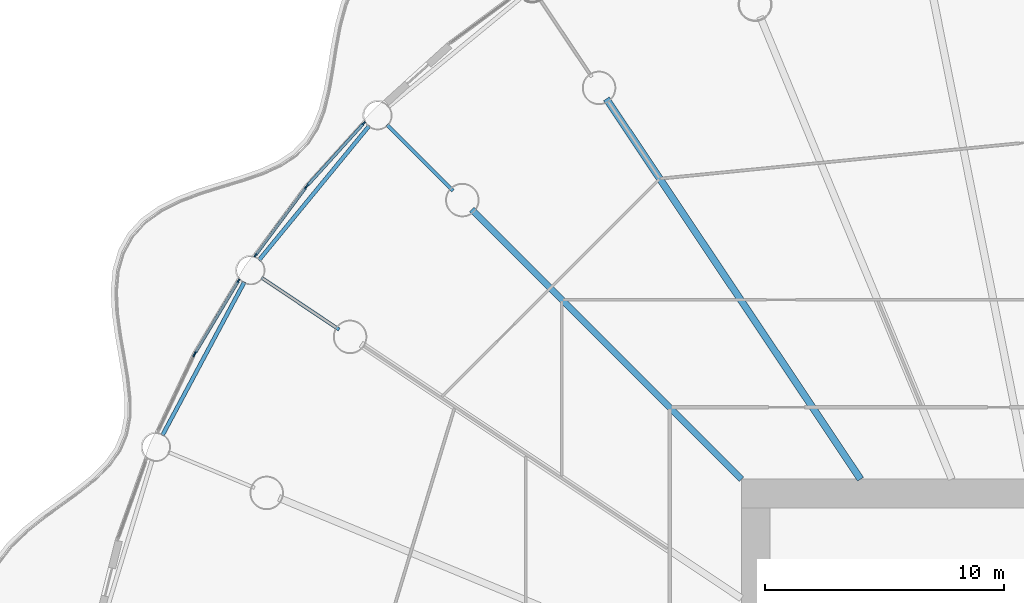
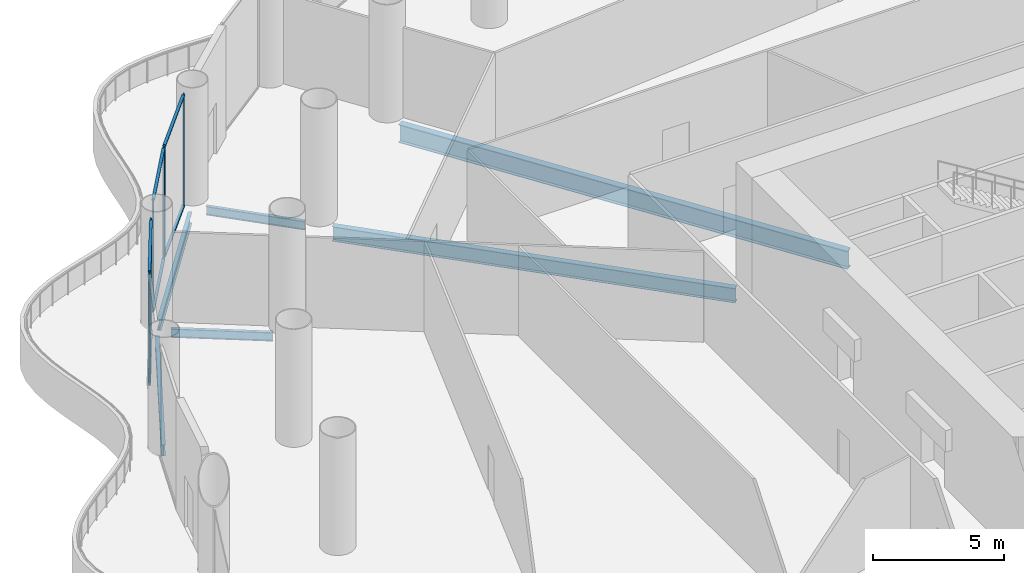
# One storey, part 15 of 37: 13 members, 6 beams, 4 elements without a shape of their own.
"""IFC4 building model written with IfcOpenShell, lengths in metres."""

from ifc_helpers import new_model, si_unit, direction, frame, origin, origin_2d, place, context, subcontext, project, spatial, rectangle, i_section, extrude, material, material_profile, profile_set, type_object, element, aggregate, save


model = new_model("IFC4")

# Units and contexts
model_context = context("Model", 3, precision=1e-05, world=origin(), true_north=direction((0.0, 1.0)))
body_context = subcontext(model_context, "Body", "Model", "MODEL_VIEW")
ifc_project = project(units=[si_unit("LENGTHUNIT", "METRE"), si_unit("AREAUNIT", "SQUARE_METRE"), si_unit("VOLUMEUNIT", "CUBIC_METRE"), si_unit("PLANEANGLEUNIT", "RADIAN"), si_unit("MASSUNIT", "GRAM", prefix="KILO")], contexts=[model_context])

# Site, building, storey
site_placement = place(None, origin())
site = spatial("IfcSite", under=ifc_project, at=site_placement, CompositionType="ELEMENT")
building_placement = place(site_placement, origin())
building = spatial("IfcBuilding", under=site, at=building_placement, Name="Corvane Civic Tower", CompositionType="ELEMENT")
storey_placement = place(building_placement, frame((0.0, 0.0, 11.5)))
storey = spatial("IfcBuildingStorey", under=building, at=storey_placement, Name="L02", CompositionType="ELEMENT", Elevation=11.5)

# Beams
ifc_material_1 = material(Name="Steel ASTM A992 Gr 50", Category="steel")
ifc_material_profile_1 = material_profile(ifc_material_1, i_section(OverallWidth=0.165771484375, OverallDepth=0.5283203125, WebThickness=0.009765625, FlangeThickness=0.013671875, at=origin_2d()), Name="W21X50")
ifc_profile_set_1 = profile_set([ifc_material_profile_1], Name="Steel ASTM A992 Gr 50")
beam_type_1 = type_object("IfcBeamType", Name="EDGE BEAM W21X50", PredefinedType="BEAM", material=ifc_profile_set_1)
for number, where, z_axis, x_axis, name in (
    (1, (-39.1904296875, 16.82568359375, -0.564208984375), (0.471412394598, 0.881912894916, 0.0), (-0.881912894916, 0.471412394598, 0.0), "BM-L02-E27"),
    (2, (-35.15478515625, 24.14794921875, -0.564208984375), (0.634396365205, 0.773007924807, 0.0), (-0.773007924807, 0.634396365205, 0.0), "BM-L02-E28"),
):
    element("IfcBeam", number, at=place(storey_placement, frame(where, z_axis=z_axis, x_axis=x_axis)), inside=storey, type_object=beam_type_1, Name=name, PredefinedType="BEAM", context=body_context, shape_type="SweptSolid", body=[
        extrude(i_section(OverallWidth=0.165771484375, OverallDepth=0.5283203125, WebThickness=0.009765625, FlangeThickness=0.013671875, at=origin_2d()), origin(), (0.0, 0.0, 1.0), 7.270751953125),
    ])
ifc_material_2 = material(Name="Steel ASTM A992 Gr 50", Category="steel")
ifc_material_profile_2 = material_profile(ifc_material_2, i_section(OverallWidth=0.140380859375, OverallDepth=0.40380859375, WebThickness=0.007080078125, FlangeThickness=0.01123046875, at=origin_2d()), Name="W16X31")
ifc_profile_set_2 = profile_set([ifc_material_profile_2], Name="Steel ASTM A992 Gr 50")
beam_type_2 = type_object("IfcBeamType", Name="FLOOR GIRDER W16X31", PredefinedType="BEAM", material=ifc_profile_set_2)
for number, where, z_axis, x_axis, name in (
    (3, (-31.8037109375, 21.25048828125, -0.501953125), (-0.831462344301, 0.555581110199, 0.0), (-0.555581110199, -0.831462344301, 0.0), "BM-L02-G28b"),
    (4, (-27.046875, 27.046875, -0.501953125), (-0.707106781187, 0.707106781187, 0.0), (-0.707106781187, -0.707106781187, 0.0), "BM-L02-G29b"),
):
    element("IfcBeam", number, at=place(storey_placement, frame(where, z_axis=z_axis, x_axis=x_axis)), inside=storey, type_object=beam_type_2, Name=name, PredefinedType="BEAM", context=body_context, shape_type="SweptSolid", body=[
        extrude(i_section(OverallWidth=0.140380859375, OverallDepth=0.40380859375, WebThickness=0.007080078125, FlangeThickness=0.01123046875, at=origin_2d()), origin(), (0.0, 0.0, 1.0), 3.89990234375),
    ])
ifc_material_3 = material(Name="Steel ASTM A992 Gr 50", Category="steel")
ifc_material_profile_3 = material_profile(ifc_material_3, i_section(OverallWidth=0.25390625, OverallDepth=0.67822265625, WebThickness=0.01171875, FlangeThickness=0.016357421875, at=origin_2d()), Name="W27X84")
ifc_profile_set_3 = profile_set([ifc_material_profile_3], Name="Steel ASTM A992 Gr 50")
beam_type_3 = type_object("IfcBeamType", Name="FLOOR GIRDER W27X84", PredefinedType="BEAM", material=ifc_profile_set_3)
beam_1_placement = place(storey_placement, frame((-15.0, 15.0, -0.63916015625), z_axis=(-0.707106781187, 0.707106781187, 0.0), x_axis=(-0.707106781187, -0.707106781187, 0.0)))
element("IfcBeam", 5, at=beam_1_placement, inside=storey, type_object=beam_type_3, Name="BM-L02-G29", PredefinedType="BEAM", context=body_context, shape_type="SweptSolid", body=[
    extrude(i_section(OverallWidth=0.25390625, OverallDepth=0.67822265625, WebThickness=0.01171875, FlangeThickness=0.016357421875, at=origin_2d()), origin(), (0.0, 0.0, 1.0), 15.936767578125),
])
ifc_material_4 = material(Name="Steel ASTM A992 Gr 50", Category="steel")
ifc_material_profile_4 = material_profile(ifc_material_4, i_section(OverallWidth=0.2919921875, OverallDepth=0.845703125, WebThickness=0.015380859375, FlangeThickness=0.0244140625, at=origin_2d()), Name="W33X141")
ifc_profile_set_4 = profile_set([ifc_material_profile_4], Name="Steel ASTM A992 Gr 50")
beam_type_4 = type_object("IfcBeamType", Name="FLOOR GIRDER W33X141", PredefinedType="BEAM", material=ifc_profile_set_4)
beam_2_placement = place(storey_placement, frame((-10.022705078125, 15.0, -0.722900390625), z_axis=(-0.555566681385, 0.831471985418, 0.0), x_axis=(-0.831471985418, -0.555566681385, 0.0)))
element("IfcBeam", 6, at=beam_2_placement, inside=storey, type_object=beam_type_4, Name="BM-L02-G30", PredefinedType="BEAM", context=body_context, shape_type="SweptSolid", body=[
    extrude(i_section(OverallWidth=0.2919921875, OverallDepth=0.845703125, WebThickness=0.015380859375, FlangeThickness=0.0244140625, at=origin_2d()), origin(), (0.0, 0.0, 1.0), 19.109619140625),
])

# Curtain wall, member
ifc_material_5 = material(Name="Aluminium and glass", Category="aluminium")
curtain_wall_type = type_object("IfcCurtainWallType", Name="PODIUM-CW-P-RUN", PredefinedType="NOTDEFINED", material=ifc_material_5)
curtain_wall_1_placement = place(storey_placement, origin())
curtain_wall_1 = element("IfcCurtainWall", 7, at=curtain_wall_1_placement, inside=storey, type_object=curtain_wall_type, Name="PODI run L02-drum-27A", PredefinedType="NOTDEFINED")
ifc_material_6 = material(Name="Anodised aluminium bronze", Category="aluminium")
ifc_material_profile_5 = material_profile(ifc_material_6, rectangle(XDim=0.06005859375, YDim=0.159912109375, at=origin_2d()), Name="AL 60x160")
ifc_profile_set_5 = profile_set([ifc_material_profile_5], Name="Anodised aluminium bronze")
member_type_1 = type_object("IfcMemberType", Name="PODIUM-CWP-MULLION-60x160", PredefinedType="MULLION", material=ifc_profile_set_5)
member_1_placement = place(storey_placement, frame((-37.862548828125, 20.186279296875, 0.0), z_axis=(0.0, 0.0, 1.0), x_axis=(-0.903990222454, 0.42755312852, 0.0)))
member_1 = element("IfcMember", 8, at=member_1_placement, type_object=member_type_1, Name="CW-P mullion 2", PredefinedType="MULLION", context=body_context, shape_type="SweptSolid", body=[
    extrude(rectangle(XDim=0.06005859375, YDim=0.159912109375, at=origin_2d()), origin(), (0.0, 0.0, 1.0), 5.199951171875),
])
aggregate(curtain_wall_1, [member_1])

# Curtain wall, members
curtain_wall_2_placement = place(storey_placement, origin())
curtain_wall_2 = element("IfcCurtainWall", 9, at=curtain_wall_2_placement, inside=storey, type_object=curtain_wall_type, Name="PODI run L02-drum-27B", PredefinedType="NOTDEFINED")
member_2_placement = place(storey_placement, frame((-37.819580078125, 20.2666015625, 0.0), z_axis=(0.0, 0.0, 1.0), x_axis=(-0.857719609779, 0.514117759857, 0.0)))
member_2 = element("IfcMember", 10, at=member_2_placement, type_object=member_type_1, Name="CW-P mullion 1", PredefinedType="MULLION", context=body_context, shape_type="SweptSolid", body=[
    extrude(rectangle(XDim=0.06005859375, YDim=0.159912109375, at=origin_2d()), origin(), (0.0, 0.0, 1.0), 5.199951171875),
])
member_3_placement = place(storey_placement, frame((-36.010009765625, 23.28564453125, 0.0), z_axis=(0.0, 0.0, 1.0), x_axis=(-0.857719609779, 0.514117759857, 0.0)))
member_3 = element("IfcMember", 11, at=member_3_placement, type_object=member_type_1, Name="CW-P mullion 2", PredefinedType="MULLION", context=body_context, shape_type="SweptSolid", body=[
    extrude(rectangle(XDim=0.06005859375, YDim=0.159912109375, at=origin_2d()), origin(), (0.0, 0.0, 1.0), 5.199951171875),
])

curtain_wall_3_placement = place(storey_placement, origin())
curtain_wall_3 = element("IfcCurtainWall", 12, at=curtain_wall_3_placement, inside=storey, type_object=curtain_wall_type, Name="PODI run L02-drum-28A", PredefinedType="NOTDEFINED")
member_4_placement = place(storey_placement, frame((-35.293701171875, 24.35791015625, 0.0), z_axis=(0.0, 0.0, 1.0), x_axis=(-0.803203229747, 0.595705104665, 0.0)))
member_4 = element("IfcMember", 13, at=member_4_placement, type_object=member_type_1, Name="CW-P mullion 1", PredefinedType="MULLION", context=body_context, shape_type="SweptSolid", body=[
    extrude(rectangle(XDim=0.06005859375, YDim=0.159912109375, at=origin_2d()), origin(), (0.0, 0.0, 1.0), 5.199951171875),
])
member_5_placement = place(storey_placement, frame((-33.197021484375, 27.18505859375, 0.0), z_axis=(0.0, 0.0, 1.0), x_axis=(-0.803203229747, 0.595705104665, 0.0)))
member_5 = element("IfcMember", 14, at=member_5_placement, type_object=member_type_1, Name="CW-P mullion 2", PredefinedType="MULLION", context=body_context, shape_type="SweptSolid", body=[
    extrude(rectangle(XDim=0.06005859375, YDim=0.159912109375, at=origin_2d()), origin(), (0.0, 0.0, 1.0), 5.199951171875),
])

curtain_wall_4_placement = place(storey_placement, origin())
curtain_wall_4 = element("IfcCurtainWall", 15, at=curtain_wall_4_placement, inside=storey, type_object=curtain_wall_type, Name="PODI run L02-drum-28B", PredefinedType="NOTDEFINED")
member_6_placement = place(storey_placement, frame((-33.13916015625, 27.25537109375, 0.0), z_axis=(0.0, 0.0, 1.0), x_axis=(-0.740935261089, 0.671576457952, 0.0)))
member_6 = element("IfcMember", 16, at=member_6_placement, type_object=member_type_1, Name="CW-P mullion 1", PredefinedType="MULLION", context=body_context, shape_type="SweptSolid", body=[
    extrude(rectangle(XDim=0.06005859375, YDim=0.159912109375, at=origin_2d()), origin(), (0.0, 0.0, 1.0), 5.199951171875),
])
member_7_placement = place(storey_placement, frame((-30.775390625, 29.863525390625, 0.0), z_axis=(0.0, 0.0, 1.0), x_axis=(-0.740935261089, 0.671576457952, 0.0)))
member_7 = element("IfcMember", 17, at=member_7_placement, type_object=member_type_1, Name="CW-P mullion 2", PredefinedType="MULLION", context=body_context, shape_type="SweptSolid", body=[
    extrude(rectangle(XDim=0.06005859375, YDim=0.159912109375, at=origin_2d()), origin(), (0.0, 0.0, 1.0), 5.199951171875),
])

# Member
ifc_material_7 = material(Name="Anodised aluminium bronze", Category="aluminium")
ifc_material_profile_6 = material_profile(ifc_material_7, rectangle(XDim=0.1201171875, YDim=0.06005859375, at=origin_2d()), Name="AL 120x60")
ifc_profile_set_6 = profile_set([ifc_material_profile_6], Name="Anodised aluminium bronze")
member_type_2 = type_object("IfcMemberType", Name="PODIUM-CWP-TRANSOM-60x120", PredefinedType="USERDEFINED", material=ifc_profile_set_6)
member_8_placement = place(storey_placement, frame((-37.80419921875, 20.29248046875, 0.030029296875), z_axis=(0.514111713099, 0.857723234181, 0.0), x_axis=(-0.857723234181, 0.514111713099, 0.0)))
member_8 = element("IfcMember", 18, at=member_8_placement, type_object=member_type_2, Name="CW-P transom 1.1", ObjectType="TRANSOM", PredefinedType="USERDEFINED", context=body_context, shape_type="SweptSolid", body=[
    extrude(rectangle(XDim=0.1201171875, YDim=0.06005859375, at=origin_2d()), origin(), (0.0, 0.0, 1.0), 3.45947265625),
])

member_9_placement = place(storey_placement, frame((-37.80419921875, 20.29248046875, 5.169921875), z_axis=(0.514111713099, 0.857723234181, 0.0), x_axis=(-0.857723234181, 0.514111713099, 0.0)))
member_9 = element("IfcMember", 19, at=member_9_placement, type_object=member_type_2, Name="CW-P transom 1.2", ObjectType="TRANSOM", PredefinedType="USERDEFINED", context=body_context, shape_type="SweptSolid", body=[
    extrude(rectangle(XDim=0.1201171875, YDim=0.06005859375, at=origin_2d()), origin(), (0.0, 0.0, 1.0), 3.45947265625),
])

aggregate(curtain_wall_2, [member_2, member_3, member_8, member_9])

member_10_placement = place(storey_placement, frame((-35.27587890625, 24.382080078125, 0.030029296875), z_axis=(0.595723591285, 0.803189518598, 0.0), x_axis=(-0.803189518598, 0.595723591285, 0.0)))
member_10 = element("IfcMember", 20, at=member_10_placement, type_object=member_type_2, Name="CW-P transom 1.1", ObjectType="TRANSOM", PredefinedType="USERDEFINED", context=body_context, shape_type="SweptSolid", body=[
    extrude(rectangle(XDim=0.1201171875, YDim=0.06005859375, at=origin_2d()), origin(), (0.0, 0.0, 1.0), 3.459716796875),
])

member_11_placement = place(storey_placement, frame((-35.27587890625, 24.382080078125, 5.169921875), z_axis=(0.595723591285, 0.803189518598, 0.0), x_axis=(-0.803189518598, 0.595723591285, 0.0)))
member_11 = element("IfcMember", 21, at=member_11_placement, type_object=member_type_2, Name="CW-P transom 1.2", ObjectType="TRANSOM", PredefinedType="USERDEFINED", context=body_context, shape_type="SweptSolid", body=[
    extrude(rectangle(XDim=0.1201171875, YDim=0.06005859375, at=origin_2d()), origin(), (0.0, 0.0, 1.0), 3.459716796875),
])

aggregate(curtain_wall_3, [member_4, member_5, member_10, member_11])

member_12_placement = place(storey_placement, frame((-33.119140625, 27.277587890625, 0.030029296875), z_axis=(0.671576323599, 0.740935382865, 0.0), x_axis=(-0.740935382865, 0.671576323599, 0.0)))
member_12 = element("IfcMember", 22, at=member_12_placement, type_object=member_type_2, Name="CW-P transom 1.1", ObjectType="TRANSOM", PredefinedType="USERDEFINED", context=body_context, shape_type="SweptSolid", body=[
    extrude(rectangle(XDim=0.1201171875, YDim=0.06005859375, at=origin_2d()), origin(), (0.0, 0.0, 1.0), 3.460205078125),
])

member_13_placement = place(storey_placement, frame((-33.119140625, 27.277587890625, 5.169921875), z_axis=(0.671576323599, 0.740935382865, 0.0), x_axis=(-0.740935382865, 0.671576323599, 0.0)))
member_13 = element("IfcMember", 23, at=member_13_placement, type_object=member_type_2, Name="CW-P transom 1.2", ObjectType="TRANSOM", PredefinedType="USERDEFINED", context=body_context, shape_type="SweptSolid", body=[
    extrude(rectangle(XDim=0.1201171875, YDim=0.06005859375, at=origin_2d()), origin(), (0.0, 0.0, 1.0), 3.460205078125),
])

aggregate(curtain_wall_4, [member_6, member_7, member_12, member_13])

save(model, "model.ifc")
